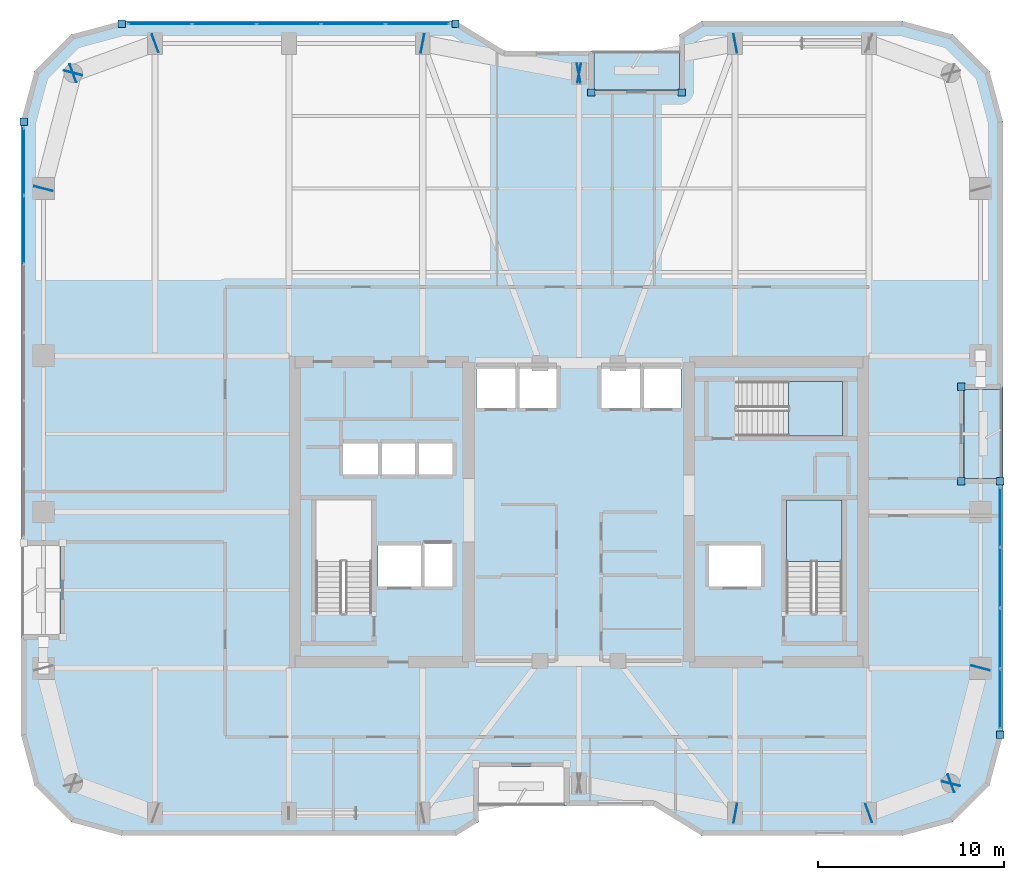
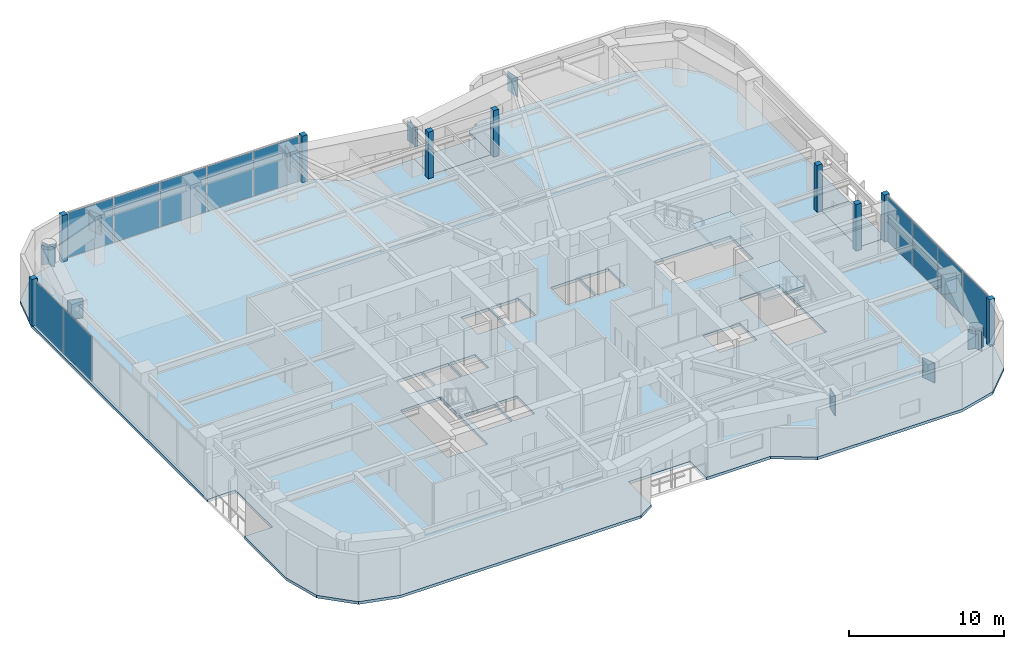
# One storey, part 22 of 30: 33 plates, 5 slabs, 5 elements without a shape of their own.
"""IFC4 building model written with IfcOpenShell, lengths in metres."""

from ifc_helpers import new_model, si_unit, direction, frame, origin, origin_2d, place, context, subcontext, project, spatial, polyline, rectangle, outline, extrude, material, layer, layer_set, type_object, element, aggregate, save


model = new_model("IFC4")

# Units and contexts
model_context = context("Model", 3, precision=1e-05, world=origin(), true_north=direction((0.0, 1.0)))
body_context = subcontext(model_context, "Body", "Model", "MODEL_VIEW")
ifc_project = project(units=[si_unit("LENGTHUNIT", "METRE"), si_unit("AREAUNIT", "SQUARE_METRE"), si_unit("VOLUMEUNIT", "CUBIC_METRE"), si_unit("PLANEANGLEUNIT", "RADIAN"), si_unit("MASSUNIT", "GRAM", prefix="KILO")], contexts=[model_context])

# Site, building, storey
site_placement = place(None, origin())
site = spatial("IfcSite", under=ifc_project, at=site_placement, CompositionType="ELEMENT")
building_placement = place(site_placement, origin())
building = spatial("IfcBuilding", under=site, at=building_placement, Name="Kiyonajd Concourse Tower", CompositionType="ELEMENT")
storey_placement = place(building_placement, frame((0.0, 0.0, 201.89990234375)))
storey = spatial("IfcBuildingStorey", under=building, at=storey_placement, Name="L51", CompositionType="ELEMENT", Elevation=201.89990234375)

# Plates
ifc_material_1 = material(Name="Steel ASTM A572 Grade 50", Category="steel")
ifc_layer_1 = layer(ifc_material_1, 0.031982421875)
ifc_layer_set_1 = layer_set([ifc_layer_1], Name="Steel ASTM A572 Grade 50")
plate_type_1 = type_object("IfcPlateType", Name="PL-CAP-540", PredefinedType="USERDEFINED", material=ifc_layer_set_1)
for number, where, z_axis, x_axis, name in (
    (1, (56.410888671875, 19.7978515625, 2.2099609375), (0.0, 0.0, 1.0), (0.982352599301, -0.187038420242, 0.0), "L51 Welded Box Girder End Cap"),
    (2, (63.589599609375, 19.796142578125, 2.2099609375), (0.0, 0.0, 1.0), (-0.939811951086, -0.341692107891, 0.0), "L51 Welded Box Girder End Cap"),
    (3, (68.01025390625, 21.40380859375, 2.2099609375), (0.0, 0.0, 1.0), (0.939811951086, 0.341692107891, 0.0), "L51 Welded Box Girder End Cap"),
    (4, (67.997314453125, 21.389404296875, 2.2099609375), (0.0, 0.0, 1.0), (-0.249873048837, -0.968278606324, 0.0), "L51 Welded Box Girder End Cap"),
    (5, (69.602783203125, 27.610595703125, 2.2099609375), (0.0, 0.0, 1.0), (0.249873048837, 0.968278606324, 0.0), "L51 Welded Box Girder End Cap"),
    (6, (56.410888671875, 61.2021484375, 2.2099609375), (0.0, 0.0, 1.0), (0.982352599301, 0.187038420242, 0.0), "L51 Welded Box Girder End Cap"),
    (7, (47.9892578125, 59.597900390625, 2.2099609375), (0.0, 0.0, 1.0), (-0.982352599301, -0.187038420242, 0.0), "L51 Welded Box Girder End Cap"),
    (8, (48.0107421875, 59.597900390625, 2.2099609375), (0.0, 0.0, 1.0), (0.982352599301, -0.187038420242, 0.0), "L51 Welded Box Girder End Cap"),
    (9, (39.589111328125, 61.2021484375, 2.2099609375), (0.0, 0.0, 1.0), (-0.982352599301, 0.187038420242, 0.0), "L51 Welded Box Girder End Cap"),
    (10, (25.210205078125, 61.203857421875, 2.2099609375), (0.0, 0.0, 1.0), (0.939811951086, 0.341692107891, 0.0), "L51 Welded Box Girder End Cap"),
    (11, (20.789794921875, 59.59619140625, 2.2099609375), (0.0, 0.0, 1.0), (-0.939811951086, -0.341692107891, 0.0), "L51 Welded Box Girder End Cap"),
    (12, (20.802734375, 59.610595703125, 2.2099609375), (0.0, 0.0, 1.0), (0.249873048837, 0.968278606324, 0.0), "L51 Welded Box Girder End Cap"),
    (13, (19.197265625, 53.389404296875, 2.2099609375), (0.0, 0.0, 1.0), (-0.249873048837, -0.968278606324, 0.0), "L51 Welded Box Girder End Cap"),
):
    element("IfcPlate", number, at=place(storey_placement, frame(where, z_axis=z_axis, x_axis=x_axis)), inside=storey, type_object=plate_type_1, Name=name, ObjectType="CAP PLATE", PredefinedType="USERDEFINED", context=body_context, shape_type="SweptSolid", body=[
        extrude(rectangle(XDim=0.035888671875, YDim=1.02001953125, at=origin_2d()), origin(), (0.0, 0.0, 1.0), 1.5400390625),
    ])

# Curtain wall, plates
ifc_material_2 = material(Name="Thermally Broken Anodised Aluminium", Category="aluminium")
ifc_layer_2 = layer(ifc_material_2, 0.179931640625)
ifc_layer_set_2 = layer_set([ifc_layer_2], Name="Thermally Broken Anodised Aluminium")
curtain_wall_type = type_object("IfcCurtainWallType", Name="CW-SYS-03", PredefinedType="NOTDEFINED", material=ifc_layer_set_2)
curtain_wall_1_placement = place(storey_placement, origin())
curtain_wall_1 = element("IfcCurtainWall", 14, at=curtain_wall_1_placement, inside=storey, type_object=curtain_wall_type, Name="L51 Unitised Curtain Wall CW3", PredefinedType="NOTDEFINED")
ifc_material_3 = material(Name="Double Low-E Insulated Glass", Category="glass")
ifc_layer_3 = layer(ifc_material_3, 0.033935546875)
ifc_layer_set_3 = layer_set([ifc_layer_3], Name="Double Low-E Insulated Glass")
plate_type_2 = type_object("IfcPlateType", Name="PL-CW-VIS34", PredefinedType="CURTAIN_PANEL", material=ifc_layer_set_3)
plate_1_placement = place(storey_placement, frame((18.139892578125, 51.17626953125, 0.06494140625), z_axis=(0.0, 0.0, 1.0), x_axis=(0.0, 1.0, 0.0)))
plate_1 = element("IfcPlate", 15, at=plate_1_placement, type_object=plate_type_2, Name="CW3 panel 5.1", PredefinedType="CURTAIN_PANEL", context=body_context, shape_type="SweptSolid", body=[
    extrude(rectangle(XDim=3.61181640625, YDim=0.033935546875, at=origin_2d()), origin(), (0.0, 0.0, 1.0), 3.550048828125),
])
plate_2_placement = place(storey_placement, frame((18.139892578125, 54.8369140625, 0.06494140625), z_axis=(0.0, 0.0, 1.0), x_axis=(0.0, 1.0, 0.0)))
plate_2 = element("IfcPlate", 16, at=plate_2_placement, type_object=plate_type_2, Name="CW3 panel 6.1", PredefinedType="CURTAIN_PANEL", context=body_context, shape_type="SweptSolid", body=[
    extrude(rectangle(XDim=3.579345703125, YDim=0.033935546875, at=origin_2d()), origin(), (0.0, 0.0, 1.0), 3.550048828125),
])
aggregate(curtain_wall_1, [plate_1, plate_2])

curtain_wall_2_placement = place(storey_placement, origin())
curtain_wall_2 = element("IfcCurtainWall", 17, at=curtain_wall_2_placement, inside=storey, type_object=curtain_wall_type, Name="L51 Unitised Curtain Wall CW3", PredefinedType="NOTDEFINED")
plate_3_placement = place(storey_placement, frame((25.4609375, 62.260009765625, 0.06494140625), z_axis=(0.0, 0.0, 1.0), x_axis=(1.0, 0.0, 0.0)))
plate_3 = element("IfcPlate", 18, at=plate_3_placement, type_object=plate_type_2, Name="CW3 panel 1.1", PredefinedType="CURTAIN_PANEL", context=body_context, shape_type="SweptSolid", body=[
    extrude(rectangle(XDim=3.375, YDim=0.033935546875, at=origin_2d()), origin(), (0.0, 0.0, 1.0), 3.550048828125),
])
plate_4_placement = place(storey_placement, frame((28.9169921875, 62.260009765625, 0.06494140625), z_axis=(0.0, 0.0, 1.0), x_axis=(1.0, 0.0, 0.0)))
plate_4 = element("IfcPlate", 19, at=plate_4_placement, type_object=plate_type_2, Name="CW3 panel 2.1", PredefinedType="CURTAIN_PANEL", context=body_context, shape_type="SweptSolid", body=[
    extrude(rectangle(XDim=3.407470703125, YDim=0.033935546875, at=origin_2d()), origin(), (0.0, 0.0, 1.0), 3.550048828125),
])
plate_5_placement = place(storey_placement, frame((32.389404296875, 62.260009765625, 0.06494140625), z_axis=(0.0, 0.0, 1.0), x_axis=(1.0, 0.0, 0.0)))
plate_5 = element("IfcPlate", 20, at=plate_5_placement, type_object=plate_type_2, Name="CW3 panel 3.1", PredefinedType="CURTAIN_PANEL", context=body_context, shape_type="SweptSolid", body=[
    extrude(rectangle(XDim=3.407470703125, YDim=0.033935546875, at=origin_2d()), origin(), (0.0, 0.0, 1.0), 3.550048828125),
])
plate_6_placement = place(storey_placement, frame((35.86181640625, 62.260009765625, 0.06494140625), z_axis=(0.0, 0.0, 1.0), x_axis=(1.0, 0.0, 0.0)))
plate_6 = element("IfcPlate", 21, at=plate_6_placement, type_object=plate_type_2, Name="CW3 panel 4.1", PredefinedType="CURTAIN_PANEL", context=body_context, shape_type="SweptSolid", body=[
    extrude(rectangle(XDim=3.407470703125, YDim=0.033935546875, at=origin_2d()), origin(), (0.0, 0.0, 1.0), 3.550048828125),
])
plate_7_placement = place(storey_placement, frame((39.31787109375, 62.260009765625, 0.06494140625), z_axis=(0.0, 0.0, 1.0), x_axis=(1.0, 0.0, 0.0)))
plate_7 = element("IfcPlate", 22, at=plate_7_placement, type_object=plate_type_2, Name="CW3 panel 5.1", PredefinedType="CURTAIN_PANEL", context=body_context, shape_type="SweptSolid", body=[
    extrude(rectangle(XDim=3.375, YDim=0.033935546875, at=origin_2d()), origin(), (0.0, 0.0, 1.0), 3.550048828125),
])
aggregate(curtain_wall_2, [plate_3, plate_4, plate_5, plate_6, plate_7])

curtain_wall_3_placement = place(storey_placement, origin())
curtain_wall_3 = element("IfcCurtainWall", 23, at=curtain_wall_3_placement, inside=storey, type_object=curtain_wall_type, Name="L51 Unitised Curtain Wall CW3", PredefinedType="NOTDEFINED")
plate_8_placement = place(storey_placement, frame((70.659912109375, 35.720947265625, 0.06494140625), z_axis=(0.0, 0.0, 1.0), x_axis=(0.0, -1.0, 0.0)))
plate_8 = element("IfcPlate", 24, at=plate_8_placement, type_object=plate_type_2, Name="CW3 panel 1.1", PredefinedType="CURTAIN_PANEL", context=body_context, shape_type="SweptSolid", body=[
    extrude(rectangle(XDim=3.16796875, YDim=0.033935546875, at=origin_2d()), origin(), (0.0, 0.0, 1.0), 3.550048828125),
])
plate_9_placement = place(storey_placement, frame((70.659912109375, 32.471923828125, 0.06494140625), z_axis=(0.0, 0.0, 1.0), x_axis=(0.0, -1.0, 0.0)))
plate_9 = element("IfcPlate", 25, at=plate_9_placement, type_object=plate_type_2, Name="CW3 panel 2.1", PredefinedType="CURTAIN_PANEL", context=body_context, shape_type="SweptSolid", body=[
    extrude(rectangle(XDim=3.200439453125, YDim=0.033935546875, at=origin_2d()), origin(), (0.0, 0.0, 1.0), 3.550048828125),
])
plate_10_placement = place(storey_placement, frame((70.659912109375, 29.20654296875, 0.06494140625), z_axis=(0.0, 0.0, 1.0), x_axis=(0.0, -1.0, 0.0)))
plate_10 = element("IfcPlate", 26, at=plate_10_placement, type_object=plate_type_2, Name="CW3 panel 3.1", PredefinedType="CURTAIN_PANEL", context=body_context, shape_type="SweptSolid", body=[
    extrude(rectangle(XDim=3.200439453125, YDim=0.033935546875, at=origin_2d()), origin(), (0.0, 0.0, 1.0), 3.550048828125),
])
plate_11_placement = place(storey_placement, frame((70.659912109375, 25.957275390625, 0.06494140625), z_axis=(0.0, 0.0, 1.0), x_axis=(0.0, -1.0, 0.0)))
plate_11 = element("IfcPlate", 27, at=plate_11_placement, type_object=plate_type_2, Name="CW3 panel 4.1", PredefinedType="CURTAIN_PANEL", context=body_context, shape_type="SweptSolid", body=[
    extrude(rectangle(XDim=3.16796875, YDim=0.033935546875, at=origin_2d()), origin(), (0.0, 0.0, 1.0), 3.550048828125),
])
aggregate(curtain_wall_3, [plate_8, plate_9, plate_10, plate_11])

# Plates
ifc_layer_4 = layer(ifc_material_2, 0.39990234375)
ifc_layer_set_4 = layer_set([ifc_layer_4], Name="Thermally Broken Anodised Aluminium")
plate_type_3 = type_object("IfcPlateType", Name="PL-JMB-400", PredefinedType="USERDEFINED", material=ifc_layer_set_4)
for number, where, z_axis, x_axis, name in (
    (28, (18.139892578125, 56.981689453125, 0.0), (0.0, 0.0, 1.0), (1.0, 0.0, 0.0), "L51 Facade Jamb Closure Plate 04"),
    (29, (23.41845703125, 62.260009765625, 0.0), (0.0, 0.0, 1.0), (1.0, 0.0, 0.0), "L51 Facade Jamb Closure Plate 05"),
    (30, (41.3603515625, 62.260009765625, 0.0), (0.0, 0.0, 1.0), (1.0, 0.0, 0.0), "L51 Facade Jamb Closure Plate 06"),
    (31, (48.659912109375, 58.56005859375, 0.0), (0.0, 0.0, 1.0), (1.0, 0.0, 0.0), "L51 Facade Jamb Closure Plate 07"),
    (32, (53.5400390625, 58.56005859375, 0.0), (0.0, 0.0, 1.0), (1.0, 0.0, 0.0), "L51 Facade Jamb Closure Plate 08"),
    (33, (68.56005859375, 42.739990234375, 0.0), (0.0, 0.0, 1.0), (1.0, 0.0, 0.0), "L51 Facade Jamb Closure Plate 09"),
    (34, (68.56005859375, 37.659912109375, 0.0), (0.0, 0.0, 1.0), (1.0, 0.0, 0.0), "L51 Facade Jamb Closure Plate 10"),
    (35, (70.659912109375, 37.659912109375, 0.0), (0.0, 0.0, 1.0), (1.0, 0.0, 0.0), "L51 Facade Jamb Closure Plate 11"),
    (36, (70.659912109375, 24.018310546875, 0.0), (0.0, 0.0, 1.0), (1.0, 0.0, 0.0), "L51 Facade Jamb Closure Plate 12"),
):
    element("IfcPlate", number, at=place(storey_placement, frame(where, z_axis=z_axis, x_axis=x_axis)), inside=storey, type_object=plate_type_3, Name=name, ObjectType="JAMB PLATE", PredefinedType="USERDEFINED", context=body_context, shape_type="SweptSolid", body=[
        extrude(rectangle(XDim=0.39990234375, YDim=0.39990234375, at=origin_2d()), origin(), (0.0, 0.0, 1.0), 3.679931640625),
    ])

# Stair, slab
ifc_material_4 = material(Name="Concrete C40/50", Category="concrete")
stair_type = type_object("IfcStairType", Name="ST-DLG-22R", PredefinedType="HALF_TURN_STAIR", material=ifc_material_4)
stair_1_placement = place(storey_placement, origin())
stair_1 = element("IfcStair", 37, at=stair_1_placement, inside=storey, type_object=stair_type, Name="L51 Protected Exit Stair ST2", PredefinedType="HALF_TURN_STAIR")
ifc_layer_5 = layer(ifc_material_4, 0.199951171875)
ifc_layer_set_5 = layer_set([ifc_layer_5], Name="Concrete C40/50")
slab_type_1 = type_object("IfcSlabType", Name="SL-LND-200", PredefinedType="LANDING", material=ifc_layer_set_5)
slab_1_placement = place(storey_placement, frame((0.0, 0.0, 1.75)))
slab_1 = element("IfcSlab", 38, at=slab_1_placement, type_object=slab_type_1, Name="ST2 landing 1", PredefinedType="LANDING", context=body_context, shape_type="SweptSolid", body=[
    extrude(outline(polyline([(62.14990234375, 33.35009765625), (62.14990234375, 36.64990234375), (59.14990234375, 36.64990234375), (59.14990234375, 33.35009765625), (62.14990234375, 33.35009765625)])), origin(), (0.0, 0.0, 1.0), 0.2001953125),
])
aggregate(stair_1, [slab_1])

stair_2_placement = place(storey_placement, origin())
stair_2 = element("IfcStair", 39, at=stair_2_placement, inside=storey, type_object=stair_type, Name="L51 Protected Exit Stair ST3", PredefinedType="HALF_TURN_STAIR")
slab_2_placement = place(storey_placement, frame((0.0, 0.0, 1.75)))
slab_2 = element("IfcSlab", 40, at=slab_2_placement, type_object=slab_type_1, Name="ST3 landing 1", PredefinedType="LANDING", context=body_context, shape_type="SweptSolid", body=[
    extrude(outline(polyline([(59.280029296875, 40.080078125), (62.179931640625, 40.080078125), (62.179931640625, 43.02001953125), (59.280029296875, 43.02001953125), (59.280029296875, 40.080078125)])), origin(), (0.0, 0.0, 1.0), 0.2001953125),
])
aggregate(stair_2, [slab_2])

# Slabs
ifc_material_5 = material(Name="Precast concrete C50/60", Category="concrete")
ifc_layer_6 = layer(ifc_material_5, 0.199951171875)
ifc_layer_set_6 = layer_set([ifc_layer_6], Name="Precast concrete C50/60")
slab_type_2 = type_object("IfcSlabType", Name="SL-LOG-200", PredefinedType="FLOOR", material=ifc_layer_set_6)
slab_3_placement = place(storey_placement, frame((0.0, 0.0, -0.199951171875)))
element("IfcSlab", 41, at=slab_3_placement, inside=storey, type_object=slab_type_2, Name="L51 Recessed Engawa Loggia Terrace Slab LOG-N", PredefinedType="FLOOR", context=body_context, shape_type="SweptSolid", body=[
    extrude(outline(polyline([(48.800048828125, 58.699951171875), (53.39990234375, 58.699951171875), (53.39990234375, 60.800048828125), (48.800048828125, 60.800048828125), (48.800048828125, 58.699951171875)])), origin(), (0.0, 0.0, 1.0), 0.199951171875),
])
slab_4_placement = place(storey_placement, frame((0.0, 0.0, -0.199951171875)))
element("IfcSlab", 42, at=slab_4_placement, inside=storey, type_object=slab_type_2, Name="L51 Recessed Engawa Loggia Terrace Slab LOG-E", PredefinedType="FLOOR", context=body_context, shape_type="SweptSolid", body=[
    extrude(outline(polyline([(68.699951171875, 37.800048828125), (70.800048828125, 37.800048828125), (70.800048828125, 42.60009765625), (68.699951171875, 42.60009765625), (68.699951171875, 37.800048828125)])), origin(), (0.0, 0.0, 1.0), 0.199951171875),
])
ifc_layer_7 = layer(ifc_material_4, 0.219970703125)
ifc_layer_set_7 = layer_set([ifc_layer_7], Name="Concrete C40/50")
slab_type_3 = type_object("IfcSlabType", Name="SL-TWR-220", PredefinedType="FLOOR", material=ifc_layer_set_7)
slab_5_placement = place(storey_placement, frame((0.0, 0.0, -0.219970703125)))
element("IfcSlab", 43, at=slab_5_placement, inside=storey, type_object=slab_type_3, Name="L51 Tower Conditioned Floor Slab", PredefinedType="FLOOR", context=body_context, shape_type="SweptSolid", body=[
    extrude(outline(polyline([(18.722900390625, 21.300048828125), (18.0, 24.0), (18.0, 29.39990234375), (20.10009765625, 29.39990234375), (20.10009765625, 34.199951171875), (18.0, 34.199951171875), (18.0, 57.0), (18.722900390625, 59.699951171875), (20.699951171875, 61.677001953125), (23.39990234375, 62.39990234375), (41.39990234375, 62.39990234375), (44.0, 60.800048828125), (48.800048828125, 60.800048828125), (48.800048828125, 58.699951171875), (53.39990234375, 58.699951171875), (53.39990234375, 61.662109375), (54.60009765625, 62.39990234375), (65.39990234375, 62.39990234375), (68.10009765625, 61.677001953125), (70.076904296875, 59.699951171875), (70.800048828125, 57.0), (70.800048828125, 42.60009765625), (68.699951171875, 42.60009765625), (68.699951171875, 37.800048828125), (70.800048828125, 37.800048828125), (70.800048828125, 24.0), (70.076904296875, 21.300048828125), (68.10009765625, 19.322998046875), (65.39990234375, 18.60009765625), (54.60009765625, 18.60009765625), (52.0, 20.199951171875), (47.199951171875, 20.199951171875), (47.199951171875, 22.300048828125), (42.60009765625, 22.300048828125), (42.60009765625, 19.337890625), (41.39990234375, 18.60009765625), (23.39990234375, 18.60009765625), (20.699951171875, 19.322998046875), (18.722900390625, 21.300048828125)]), holes=[polyline([(39.5, 32.0), (37.199951171875, 32.0), (37.199951171875, 34.199951171875), (39.5, 34.199951171875), (39.5, 32.0)]), polyline([(39.60009765625, 32.0), (39.60009765625, 34.300048828125), (41.199951171875, 34.300048828125), (41.199951171875, 32.0), (39.60009765625, 32.0)]), polyline([(33.85009765625, 30.550048828125), (33.85009765625, 36.64990234375), (36.85009765625, 36.64990234375), (36.85009765625, 30.550048828125), (33.85009765625, 30.550048828125)]), polyline([(37.199951171875, 38.0), (35.300048828125, 38.0), (35.300048828125, 39.699951171875), (37.199951171875, 39.699951171875), (37.199951171875, 38.0)]), polyline([(37.300048828125, 38.0), (37.300048828125, 39.699951171875), (39.199951171875, 39.699951171875), (39.199951171875, 38.0), (37.300048828125, 38.0)]), polyline([(39.300048828125, 38.0), (39.300048828125, 39.699951171875), (41.199951171875, 39.699951171875), (41.199951171875, 38.0), (39.300048828125, 38.0)]), polyline([(44.60009765625, 41.60009765625), (42.5, 41.60009765625), (42.5, 43.800048828125), (44.60009765625, 43.800048828125), (44.60009765625, 41.60009765625)]), polyline([(55.0, 32.0), (55.0, 34.199951171875), (57.800048828125, 34.199951171875), (57.800048828125, 32.0), (55.0, 32.0)]), polyline([(59.14990234375, 30.550048828125), (59.14990234375, 36.64990234375), (62.14990234375, 36.64990234375), (62.14990234375, 30.550048828125), (59.14990234375, 30.550048828125)]), polyline([(56.47998046875, 43.02001953125), (62.179931640625, 43.02001953125), (62.179931640625, 40.080078125), (56.47998046875, 40.080078125), (56.47998046875, 43.02001953125)]), polyline([(44.699951171875, 41.60009765625), (44.699951171875, 43.800048828125), (46.800048828125, 43.800048828125), (46.800048828125, 41.60009765625), (44.699951171875, 41.60009765625)]), polyline([(49.199951171875, 41.60009765625), (49.199951171875, 43.800048828125), (51.300048828125, 43.800048828125), (51.300048828125, 41.60009765625), (49.199951171875, 41.60009765625)]), polyline([(51.39990234375, 41.60009765625), (51.39990234375, 43.800048828125), (53.5, 43.800048828125), (53.5, 41.60009765625), (51.39990234375, 41.60009765625)])]), origin(), (0.0, 0.0, 1.0), 0.219970703125),
])

save(model, "model.ifc")
